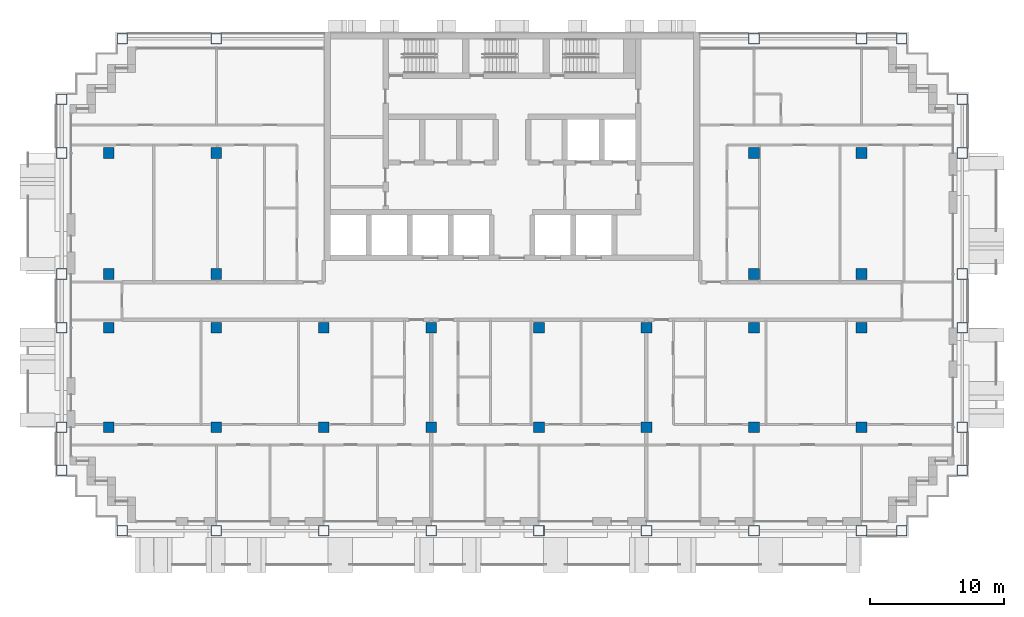
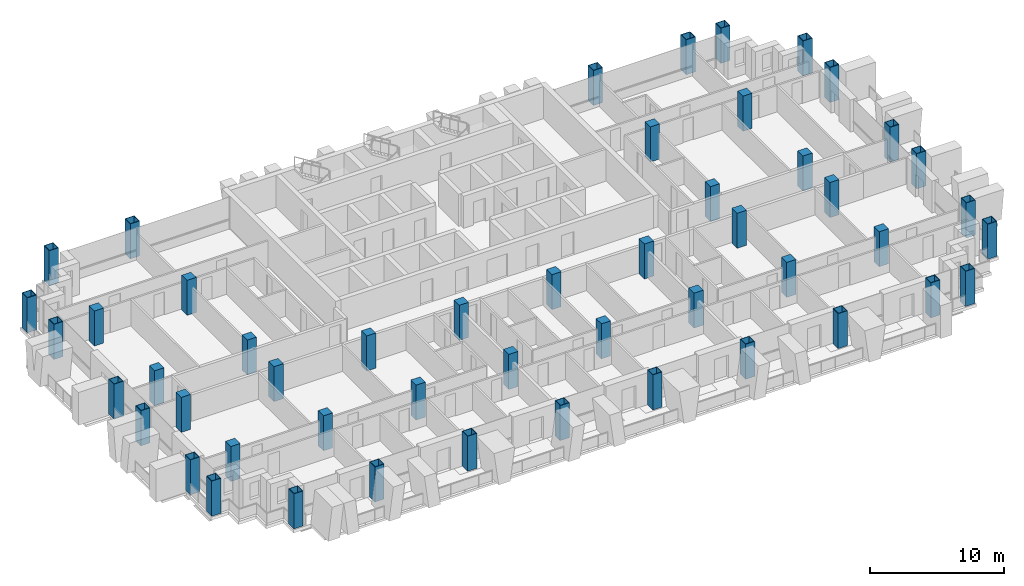
# One storey, part 1 of 16: 50 columns.
"""IFC4 building model written with IfcOpenShell, lengths in metres."""

from ifc_helpers import new_model, si_unit, direction, frame, origin, origin_2d, place, context, subcontext, project, spatial, rectangle, hollow_rectangle, extrude, material, material_profile, profile_set, type_object, element, save


model = new_model("IFC4")

# Units and contexts
model_context = context("Model", 3, precision=1e-05, world=origin(), true_north=direction((0.0, 1.0)))
body_context = subcontext(model_context, "Body", "Model", "MODEL_VIEW")
ifc_project = project(units=[si_unit("LENGTHUNIT", "METRE"), si_unit("AREAUNIT", "SQUARE_METRE"), si_unit("VOLUMEUNIT", "CUBIC_METRE"), si_unit("PLANEANGLEUNIT", "RADIAN"), si_unit("MASSUNIT", "GRAM", prefix="KILO")], contexts=[model_context])

# Site, building, storey
site_placement = place(None, origin())
site = spatial("IfcSite", under=ifc_project, at=site_placement, CompositionType="ELEMENT")
building_placement = place(site_placement, origin())
building = spatial("IfcBuilding", under=site, at=building_placement, Name="Vidyagriha Tower", CompositionType="ELEMENT")
storey_placement = place(building_placement, frame((0.0, 0.0, 135.800048828125)))
storey = spatial("IfcBuildingStorey", under=building, at=storey_placement, Name="L35", CompositionType="ELEMENT", Elevation=135.800048828125)

# Columns
ifc_material_1 = material(Name="Steel ASTM A572 Grade 50", Category="steel")
ifc_material_profile_1 = material_profile(ifc_material_1, hollow_rectangle(XDim=0.800048828125, YDim=0.800048828125, WallThickness=0.0400390625, at=origin_2d()), Name="BOX 800x800x40")
ifc_profile_set_1 = profile_set([ifc_material_profile_1], Name="Steel ASTM A572 Grade 50")
column_type_1 = type_object("IfcColumnType", Name="Exoskeleton column BOX 800x800x40", PredefinedType="COLUMN", material=ifc_profile_set_1)
for number, where, name in (
    (1, (-29.0, -17.10009765625, 0.0), "st-col-L35-B3-001"),
    (2, (-22.0, -17.10009765625, 0.0), "st-col-L35-B3-002"),
    (3, (-14.0, -17.10009765625, 0.0), "st-col-L35-B3-003"),
    (4, (-6.0, -17.10009765625, 0.0), "st-col-L35-B3-004"),
    (5, (2.0, -17.10009765625, 0.0), "st-col-L35-B3-005"),
    (6, (10.0, -17.10009765625, 0.0), "st-col-L35-B3-006"),
    (7, (18.0, -17.10009765625, 0.0), "st-col-L35-B3-007"),
    (8, (26.0, -17.10009765625, 0.0), "st-col-L35-B3-008"),
    (9, (29.0, -17.10009765625, 0.0), "st-col-L35-B3-009"),
    (10, (-33.5, -12.60009765625, 0.0), "st-col-L35-B3-010"),
    (11, (33.5, -12.60009765625, 0.0), "st-col-L35-B3-011"),
    (12, (-33.5, -9.39990234375, 0.0), "st-col-L35-B3-012"),
    (13, (33.5, -9.39990234375, 0.0), "st-col-L35-B3-021"),
    (14, (-33.5, -2.0, 0.0), "st-col-L35-B3-022"),
    (15, (33.5, -2.0, 0.0), "st-col-L35-B3-031"),
    (16, (-33.5, 2.0, 0.0), "st-col-L35-B3-032"),
    (17, (33.5, 2.0, 0.0), "st-col-L35-B3-037"),
    (18, (-33.5, 11.0, 0.0), "st-col-L35-B3-038"),
    (19, (33.5, 11.0, 0.0), "st-col-L35-B3-043"),
    (20, (-33.5, 15.0, 0.0), "st-col-L35-B3-044"),
    (21, (33.5, 15.0, 0.0), "st-col-L35-B3-045"),
    (22, (-29.0, 19.5, 0.0), "st-col-L35-B3-046"),
    (23, (-22.0, 19.5, 0.0), "st-col-L35-B3-047"),
    (24, (18.0, 19.5, 0.0), "st-col-L35-B3-048"),
    (25, (26.0, 19.5, 0.0), "st-col-L35-B3-049"),
    (26, (29.0, 19.5, 0.0), "st-col-L35-B3-050"),
):
    element("IfcColumn", number, at=place(storey_placement, frame(where)), inside=storey, type_object=column_type_1, Name=name, PredefinedType="COLUMN", context=body_context, shape_type="SweptSolid", body=[
        extrude(hollow_rectangle(XDim=0.800048828125, YDim=0.800048828125, WallThickness=0.0400390625, at=origin_2d()), origin(), (0.0, 0.0, 1.0), 3.199951171875),
    ])
ifc_material_2 = material(Name="Concrete C80/95", Category="concrete")
ifc_material_profile_2 = material_profile(ifc_material_2, rectangle(XDim=0.800048828125, YDim=0.800048828125, at=origin_2d()), Name="RC 800x800")
ifc_profile_set_2 = profile_set([ifc_material_profile_2], Name="Concrete C80/95")
column_type_2 = type_object("IfcColumnType", Name="Frame column RC 800x800", PredefinedType="COLUMN", material=ifc_profile_set_2)
for number, where, name in (
    (27, (-30.0, -9.39990234375, 0.0), "st-col-L35-B3-013"),
    (28, (-22.0, -9.39990234375, 0.0), "st-col-L35-B3-014"),
    (29, (-14.0, -9.39990234375, 0.0), "st-col-L35-B3-015"),
    (30, (-6.0, -9.39990234375, 0.0), "st-col-L35-B3-016"),
    (31, (2.0, -9.39990234375, 0.0), "st-col-L35-B3-017"),
    (32, (10.0, -9.39990234375, 0.0), "st-col-L35-B3-018"),
    (33, (18.0, -9.39990234375, 0.0), "st-col-L35-B3-019"),
    (34, (26.0, -9.39990234375, 0.0), "st-col-L35-B3-020"),
    (35, (-30.0, -2.0, 0.0), "st-col-L35-B3-023"),
    (36, (-22.0, -2.0, 0.0), "st-col-L35-B3-024"),
    (37, (-14.0, -2.0, 0.0), "st-col-L35-B3-025"),
    (38, (-6.0, -2.0, 0.0), "st-col-L35-B3-026"),
    (39, (2.0, -2.0, 0.0), "st-col-L35-B3-027"),
    (40, (10.0, -2.0, 0.0), "st-col-L35-B3-028"),
    (41, (18.0, -2.0, 0.0), "st-col-L35-B3-029"),
    (42, (26.0, -2.0, 0.0), "st-col-L35-B3-030"),
    (43, (-30.0, 2.0, 0.0), "st-col-L35-B3-033"),
    (44, (-22.0, 2.0, 0.0), "st-col-L35-B3-034"),
    (45, (18.0, 2.0, 0.0), "st-col-L35-B3-035"),
    (46, (26.0, 2.0, 0.0), "st-col-L35-B3-036"),
    (47, (-30.0, 11.0, 0.0), "st-col-L35-B3-039"),
    (48, (-22.0, 11.0, 0.0), "st-col-L35-B3-040"),
    (49, (18.0, 11.0, 0.0), "st-col-L35-B3-041"),
    (50, (26.0, 11.0, 0.0), "st-col-L35-B3-042"),
):
    element("IfcColumn", number, at=place(storey_placement, frame(where)), inside=storey, type_object=column_type_2, Name=name, PredefinedType="COLUMN", context=body_context, shape_type="SweptSolid", body=[
        extrude(rectangle(XDim=0.800048828125, YDim=0.800048828125, at=origin_2d()), origin(), (0.0, 0.0, 1.0), 3.199951171875),
    ])

save(model, "model.ifc")
